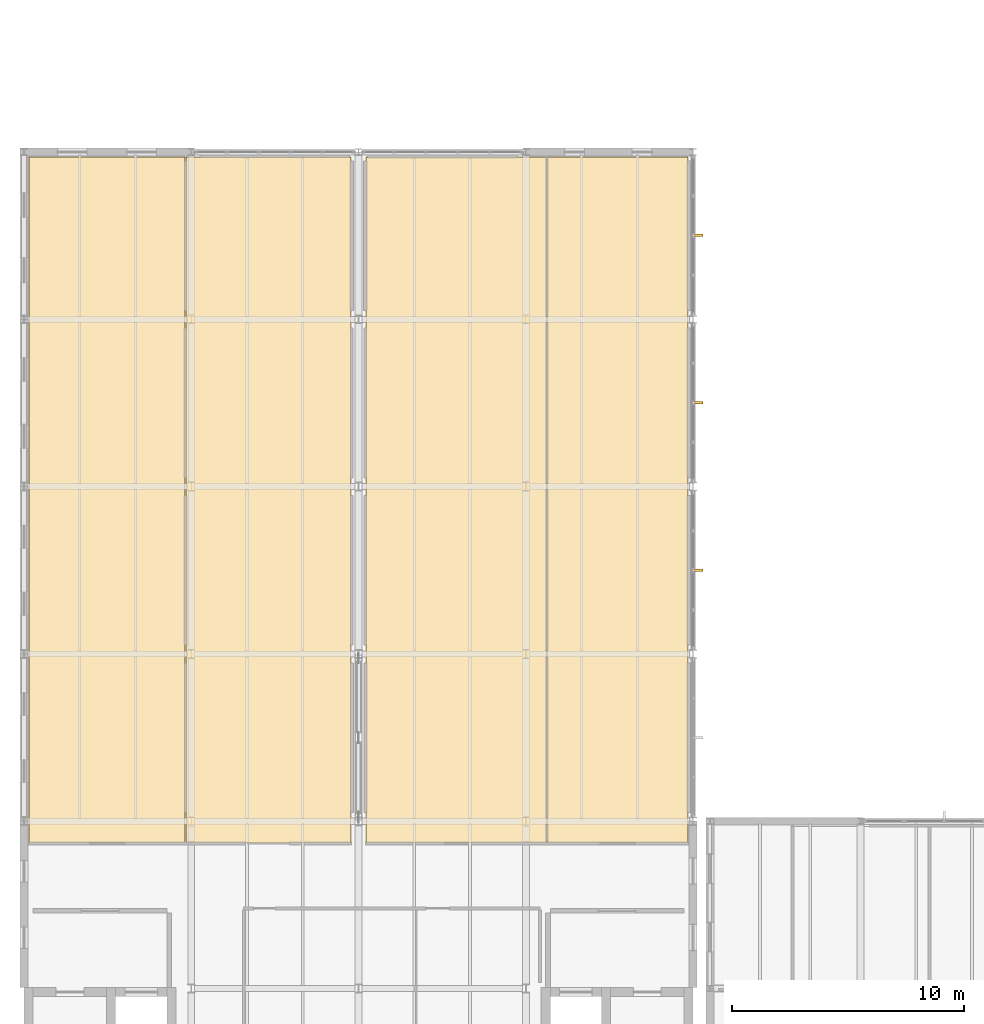
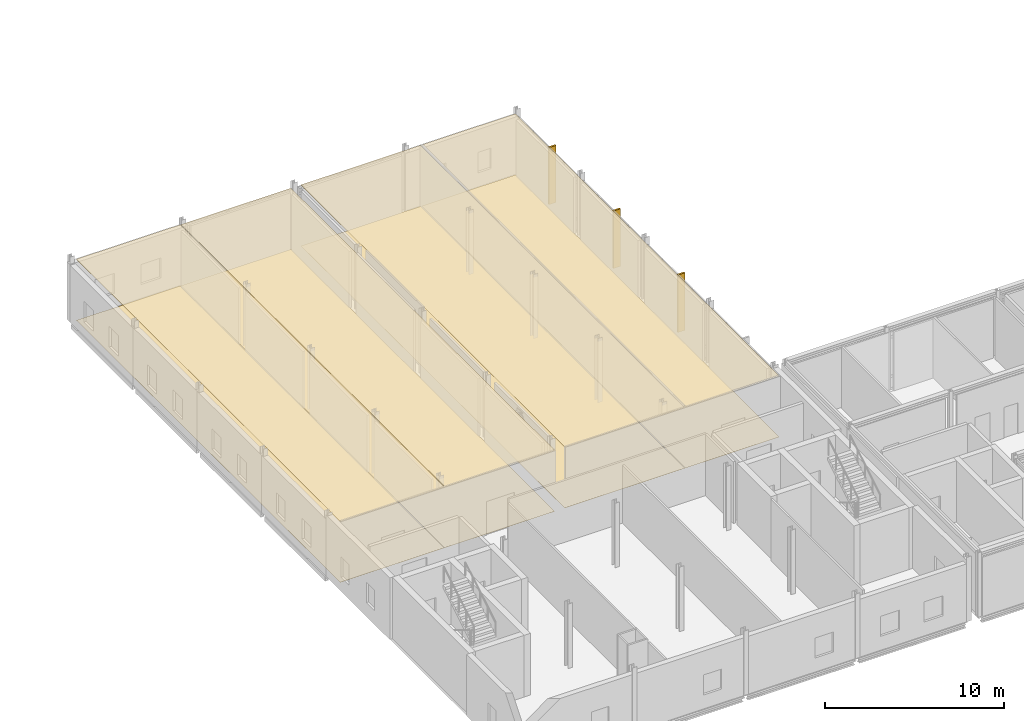
# One storey, part 40 of 43: 8 coverings, 3 shading devices.
"""IFC4 building model written with IfcOpenShell, lengths in metres."""

import ifcopenshell
import ifcopenshell.guid

model = None  # the IFC model being written
_history = None  # IfcOwnerHistory: only IFC2X3 demands one
_inside = {}  # id of a spatial element -> (the spatial element, [elements in it])
_under = {}  # id of a project, library or spatial element -> (it, [spatial elements below it])
_declared = {}  # id of a project -> (the project, [libraries it declares])
_typed = {}  # id of a type object -> (the type object, [elements of that type])
_made_of = {}  # id of a material, layer set ... -> (it, [elements and type objects made of it])


def new_model(schema):
    """Start an empty IFC model of exactly this schema.

    Asked for "IFC4X3", IfcOpenShell would pick the latest addendum, in which some entities
    have other attributes; the version numbers below select the first issue.
    IFC2X3 requires an IfcOwnerHistory on every rooted entity: one is made here for all.
    """
    global model, _history
    if schema == "IFC4X3":
        model = ifcopenshell.file(schema_version=(4, 3, 0, 0))
    else:
        model = ifcopenshell.file(schema=schema)
    _inside.clear()
    _under.clear()
    _declared.clear()
    _typed.clear()
    _made_of.clear()
    _history = None
    if model.schema == "IFC2X3":
        org = make("IfcOrganization", Name="unknown")
        user = make(
            "IfcPersonAndOrganization",
            ThePerson=make("IfcPerson", FamilyName="unknown"),
            TheOrganization=org,
        )
        app = make(
            "IfcApplication",
            ApplicationDeveloper=org,
            Version="unknown",
            ApplicationFullName="unknown",
            ApplicationIdentifier="unknown",
        )
        _history = make(
            "IfcOwnerHistory",
            OwningUser=user,
            OwningApplication=app,
            ChangeAction="ADDED",
            CreationDate=0,
        )
    return model


def make(cls, **values):
    """One entity of the class cls with the attributes given. An attribute that is None is left unset."""
    return model.create_entity(
        cls, **{name: value for name, value in values.items() if value is not None}
    )


def rooted(cls, **values):
    """An entity with a GlobalId (a new one), such as an element, a storey or a relation."""
    return make(cls, GlobalId=ifcopenshell.guid.new(), OwnerHistory=_history, **values)


def si_unit(unit_type, name, prefix=None):
    """IfcSIUnit, for example si_unit("LENGTHUNIT", "METRE", prefix="MILLI")."""
    return make("IfcSIUnit", UnitType=unit_type, Prefix=prefix, Name=name)


def assignment(units):
    """IfcUnitAssignment: the units of a project."""
    return None if units is None else make("IfcUnitAssignment", Units=units)


def point(xyz):
    """IfcCartesianPoint."""
    return None if xyz is None else make("IfcCartesianPoint", Coordinates=xyz)


def direction(xyz):
    """IfcDirection."""
    return None if xyz is None else make("IfcDirection", DirectionRatios=xyz)


def frame(location, z_axis=None, x_axis=None):
    """IfcAxis2Placement3D, a coordinate frame: its origin and axes. An axis left out is left unset."""
    return make(
        "IfcAxis2Placement3D",
        Location=point(location),
        Axis=direction(z_axis),
        RefDirection=direction(x_axis),
    )


def frame_2d(location, x_axis=None):
    """IfcAxis2Placement2D, a coordinate frame in the plane: its origin and x axis."""
    return make(
        "IfcAxis2Placement2D", Location=point(location), RefDirection=direction(x_axis)
    )


def origin():
    """The frame at (0, 0, 0) with its axes left unset."""
    return frame((0.0, 0.0, 0.0))


def origin_2d():
    """The frame at (0, 0) in the plane with its x axis left unset."""
    return frame_2d((0.0, 0.0))


def place(relative_to, where):
    """IfcLocalPlacement: puts the frame where relative to a parent placement (None: the world)."""
    return make(
        "IfcLocalPlacement", PlacementRelTo=relative_to, RelativePlacement=where
    )


def context(
    kind, dimensions, precision=None, world=None, true_north=None, identifier=None
):
    """IfcGeometricRepresentationContext, for example the 3D "Model" context."""
    return make(
        "IfcGeometricRepresentationContext",
        ContextIdentifier=identifier,
        ContextType=kind,
        CoordinateSpaceDimension=dimensions,
        Precision=precision,
        WorldCoordinateSystem=world,
        TrueNorth=true_north,
    )


def subcontext(parent, identifier, kind, view, scale=None):
    """IfcGeometricRepresentationSubContext, for example "Body" below "Model"."""
    return make(
        "IfcGeometricRepresentationSubContext",
        ContextIdentifier=identifier,
        ContextType=kind,
        ParentContext=parent,
        TargetScale=scale,
        TargetView=view,
    )


def project(units=None, contexts=None):
    """IfcProject with its units and contexts."""
    return rooted(
        "IfcProject",
        Name="project",
        RepresentationContexts=contexts,
        UnitsInContext=assignment(units),
    )


def spatial(cls, under=None, at=None, **own):
    """A site, building, storey or space (cls), placed at a placement, below another one or the project."""
    s = rooted(cls, ObjectPlacement=at, **own)
    if under is not None:
        _under.setdefault(under.id(), (under, []))[1].append(s)
    return s


def polyline(points):
    """IfcPolyline through the points."""
    return make("IfcPolyline", Points=[point(p) for p in points])


def profile(cls, at=None, kind="AREA", **sizes):
    """A parametric profile (cls). Its sizes go by their IFC names, for example OverallWidth=200.0."""
    return make(cls, ProfileType=kind, Position=at, **sizes)


def rectangle(**sizes):
    """IfcRectangleProfileDef."""
    return profile("IfcRectangleProfileDef", **sizes)


def outline(outer, holes=None, kind="AREA"):
    """IfcArbitraryClosedProfileDef: a profile drawn as a closed curve; with holes, ...WithVoids."""
    if holes is None:
        return make("IfcArbitraryClosedProfileDef", ProfileType=kind, OuterCurve=outer)
    return make(
        "IfcArbitraryProfileDefWithVoids",
        ProfileType=kind,
        OuterCurve=outer,
        InnerCurves=holes,
    )


def extrude(swept, where, along, depth):
    """IfcExtrudedAreaSolid: the profile swept, set in the frame where, extruded along a direction by depth."""
    return make(
        "IfcExtrudedAreaSolid",
        SweptArea=swept,
        Position=where,
        ExtrudedDirection=direction(along),
        Depth=depth,
    )


def shape(context_of_items, identifier, shape_type, items):
    """IfcShapeRepresentation: the items that make up one representation, for example the "Body"."""
    return make(
        "IfcShapeRepresentation",
        ContextOfItems=context_of_items,
        RepresentationIdentifier=identifier,
        RepresentationType=shape_type,
        Items=items,
    )


def material(Name=None, Category=None):
    """IfcMaterial."""
    return make("IfcMaterial", Name=Name, Category=Category)


def layer(
    of_material, thickness, ventilated=None, Name=None, Category=None, Priority=None
):
    """IfcMaterialLayer: one layer of a wall or slab, of a material (None: an air gap)."""
    return make(
        "IfcMaterialLayer",
        Material=of_material,
        LayerThickness=thickness,
        IsVentilated=ventilated,
        Name=Name,
        Category=Category,
        Priority=Priority,
    )


def layer_set(layers, Name=None):
    """IfcMaterialLayerSet."""
    return make("IfcMaterialLayerSet", MaterialLayers=layers, LayerSetName=Name)


def made_of(thing, what):
    """Note that an element or type object is made of a material, layer set ...; save() writes the relation."""
    if what is not None:
        _made_of.setdefault(what.id(), (what, []))[1].append(thing)
    return thing


def type_object(cls, material=None, **own):
    """A type object (cls), such as IfcWallType, which elements share."""
    return made_of(rooted(cls, **own), material)


def element(
    cls,
    number,
    at=None,
    inside=None,
    cuts=None,
    type_object=None,
    material=None,
    context=None,
    identifier="Body",
    shape_type=None,
    held_by="IfcProductDefinitionShape",
    body=None,
    shapes=None,
    **own,
):
    """One element of the class cls, such as IfcWall. Its Tag is "e" and its number.

    at: its placement. inside: the storey or other place that contains it. cuts: it is an
    opening in that element (IfcRelVoidsElement). A single representation is given by context,
    identifier, shape_type and body (its items); several are given by shapes. held_by: the class
    of the entity that holds the representations. save() writes the other relations.
    """
    e = rooted(cls, Tag="e%d" % number, ObjectPlacement=at, **own)
    if body is not None:
        shapes = [shape(context, identifier, shape_type, body)]
    if shapes is not None:
        e.Representation = make(held_by, Representations=shapes)
    if inside is not None:
        _inside.setdefault(inside.id(), (inside, []))[1].append(e)
    if cuts is not None:
        rooted(
            "IfcRelVoidsElement", RelatingBuildingElement=cuts, RelatedOpeningElement=e
        )
    if type_object is not None:
        _typed.setdefault(type_object.id(), (type_object, []))[1].append(e)
    return made_of(e, material)


def aggregate(whole, parts):
    """IfcRelAggregates: a whole, such as a stair, and the parts it consists of."""
    return rooted("IfcRelAggregates", RelatingObject=whole, RelatedObjects=parts)


def save(model, path):
    """Write the relations noted so far, then the file.

    IfcRelAggregates (storeys below a building ...), IfcRelContainedInSpatialStructure (elements
    in a storey), IfcRelDefinesByType, IfcRelAssociatesMaterial and IfcRelDeclares: one each for
    every whole, place, type object, material and project.
    """
    for whole, parts in _under.values():
        aggregate(whole, parts)
    for where, things in _inside.values():
        rooted(
            "IfcRelContainedInSpatialStructure",
            RelatedElements=things,
            RelatingStructure=where,
        )
    for kind, things in _typed.values():
        rooted("IfcRelDefinesByType", RelatedObjects=things, RelatingType=kind)
    for what, things in _made_of.values():
        rooted("IfcRelAssociatesMaterial", RelatedObjects=things, RelatingMaterial=what)
    for by, libraries in _declared.values():
        rooted("IfcRelDeclares", RelatingContext=by, RelatedDefinitions=libraries)
    model.write(path)


model = new_model("IFC4")

# Units and contexts
model_context = context("Model", 3, precision=1e-05, world=origin(), true_north=direction((0.0, 1.0)))
body_context = subcontext(model_context, "Body", "Model", "MODEL_VIEW")
ifc_project = project(units=[si_unit("LENGTHUNIT", "METRE"), si_unit("AREAUNIT", "SQUARE_METRE"), si_unit("VOLUMEUNIT", "CUBIC_METRE"), si_unit("PLANEANGLEUNIT", "RADIAN"), si_unit("MASSUNIT", "GRAM", prefix="KILO")], contexts=[model_context])

# Site, building, storey
site_placement = place(None, origin())
site = spatial("IfcSite", under=ifc_project, at=site_placement, CompositionType="ELEMENT")
building_placement = place(site_placement, origin())
building = spatial("IfcBuilding", under=site, at=building_placement, Name="Zarrinpeak Specialist Clinic", CompositionType="ELEMENT")
storey_placement = place(building_placement, frame((0.0, 0.0, 18.39990234375)))
storey = spatial("IfcBuildingStorey", under=building, at=storey_placement, Name="L04", CompositionType="ELEMENT", Elevation=18.39990234375)

# Coverings
ifc_material_1 = material(Name="Hygienic Acoustic Mineral Fibre Tile")
ifc_layer_1 = layer(ifc_material_1, 0.02490234375)
ifc_layer_set_1 = layer_set([ifc_layer_1], Name="Hygienic Acoustic Mineral Fibre Tile")
covering_type_1 = type_object("IfcCoveringType", Name="CV-CEIL-AC", PredefinedType="CEILING", material=ifc_layer_set_1)
covering_1_placement = place(storey_placement, frame((0.0, 0.0, 4.16015625)))
element("IfcCovering", 1, at=covering_1_placement, inside=storey, type_object=covering_type_1, Name="L04 Pulmonology Spirometry Lab Hygienic Acoustic Ceiling", PredefinedType="CEILING", context=body_context, shape_type="SweptSolid", body=[
    extrude(outline(polyline([(22.52001953125, 20.669921875), (28.580078125, 20.669921875), (28.580078125, 50.179931640625), (22.52001953125, 50.179931640625), (22.52001953125, 20.669921875)])), origin(), (0.0, 0.0, 1.0), 0.02490234375),
])
covering_2_placement = place(storey_placement, frame((0.0, 0.0, 4.16015625)))
element("IfcCovering", 2, at=covering_2_placement, inside=storey, type_object=covering_type_1, Name="L04 Bronchoscopy Preparation Room Hygienic Acoustic Ceiling", PredefinedType="CEILING", context=body_context, shape_type="SweptSolid", body=[
    extrude(outline(polyline([(0.219970703125, 20.669921875), (6.929931640625, 20.669921875), (6.929931640625, 50.179931640625), (0.219970703125, 50.179931640625), (0.219970703125, 20.669921875)])), origin(), (0.0, 0.0, 1.0), 0.02490234375),
])
covering_3_placement = place(storey_placement, frame((0.0, 0.0, 4.16015625)))
element("IfcCovering", 3, at=covering_3_placement, inside=storey, type_object=covering_type_1, Name="L04 Endocrinology Diabetes Education Hygienic Acoustic Ceiling", PredefinedType="CEILING", context=body_context, shape_type="SweptSolid", body=[
    extrude(outline(polyline([(6.969970703125, 20.669921875), (14.080078125, 20.669921875), (14.080078125, 50.179931640625), (6.969970703125, 50.179931640625), (6.969970703125, 20.669921875)])), origin(), (0.0, 0.0, 1.0), 0.02490234375),
])
covering_4_placement = place(storey_placement, frame((0.0, 0.0, 4.16015625)))
element("IfcCovering", 4, at=covering_4_placement, inside=storey, type_object=covering_type_1, Name="L04 Metabolic Nutrition Consult Hygienic Acoustic Ceiling", PredefinedType="CEILING", context=body_context, shape_type="SweptSolid", body=[
    extrude(outline(polyline([(14.719970703125, 20.669921875), (22.47998046875, 20.669921875), (22.47998046875, 50.179931640625), (14.719970703125, 50.179931640625), (14.719970703125, 20.669921875)])), origin(), (0.0, 0.0, 1.0), 0.02490234375),
])
ifc_material_2 = material(Name="Homogeneous Antimicrobial Clinical Vinyl")
ifc_layer_2 = layer(ifc_material_2, 0.008056640625)
ifc_layer_set_2 = layer_set([ifc_layer_2], Name="Homogeneous Antimicrobial Clinical Vinyl")
covering_type_2 = type_object("IfcCoveringType", Name="CV-FLR-VN", PredefinedType="FLOORING", material=ifc_layer_set_2)
covering_5_placement = place(storey_placement, frame((0.0, 0.0, 0.0009765625)))
element("IfcCovering", 5, at=covering_5_placement, inside=storey, type_object=covering_type_2, Name="L04 Pulmonology Spirometry Lab Antimicrobial Vinyl Flooring", PredefinedType="FLOORING", context=body_context, shape_type="SweptSolid", body=[
    extrude(outline(polyline([(22.52001953125, 20.669921875), (28.580078125, 20.669921875), (28.580078125, 50.179931640625), (22.52001953125, 50.179931640625), (22.52001953125, 20.669921875)])), origin(), (0.0, 0.0, 1.0), 0.008056640625),
])
covering_6_placement = place(storey_placement, frame((0.0, 0.0, 0.0009765625)))
element("IfcCovering", 6, at=covering_6_placement, inside=storey, type_object=covering_type_2, Name="L04 Bronchoscopy Preparation Room Antimicrobial Vinyl Flooring", PredefinedType="FLOORING", context=body_context, shape_type="SweptSolid", body=[
    extrude(outline(polyline([(0.219970703125, 20.669921875), (6.929931640625, 20.669921875), (6.929931640625, 50.179931640625), (0.219970703125, 50.179931640625), (0.219970703125, 20.669921875)])), origin(), (0.0, 0.0, 1.0), 0.008056640625),
])
covering_7_placement = place(storey_placement, frame((0.0, 0.0, 0.0009765625)))
element("IfcCovering", 7, at=covering_7_placement, inside=storey, type_object=covering_type_2, Name="L04 Endocrinology Diabetes Education Antimicrobial Vinyl Flooring", PredefinedType="FLOORING", context=body_context, shape_type="SweptSolid", body=[
    extrude(outline(polyline([(6.969970703125, 20.669921875), (14.080078125, 20.669921875), (14.080078125, 50.179931640625), (6.969970703125, 50.179931640625), (6.969970703125, 20.669921875)])), origin(), (0.0, 0.0, 1.0), 0.008056640625),
])
covering_8_placement = place(storey_placement, frame((0.0, 0.0, 0.0009765625)))
element("IfcCovering", 8, at=covering_8_placement, inside=storey, type_object=covering_type_2, Name="L04 Metabolic Nutrition Consult Antimicrobial Vinyl Flooring", PredefinedType="FLOORING", context=body_context, shape_type="SweptSolid", body=[
    extrude(outline(polyline([(14.719970703125, 20.669921875), (22.47998046875, 20.669921875), (22.47998046875, 50.179931640625), (14.719970703125, 50.179931640625), (14.719970703125, 20.669921875)])), origin(), (0.0, 0.0, 1.0), 0.008056640625),
])

# Shading devices
ifc_material_3 = material(Name="Glulam GL28h", Category="wood")
shading_device_type = type_object("IfcShadingDeviceType", Name="SHD-FIN-GL", PredefinedType="USERDEFINED", material=ifc_material_3)
for number, where, z_axis, x_axis, name in (
    (9, (29.0, 32.39990234375, -0.0146484375), (0.0, 0.0, 1.0), (1.0, 0.0, 0.0), "L04 V1 Cedar-Glulam Courtyard Fin FIN-018"),
    (10, (29.0, 39.610107421875, -0.0146484375), (0.0, 0.0, 1.0), (1.0, 0.0, 0.0), "L04 V1 Cedar-Glulam Courtyard Fin FIN-019"),
):
    element("IfcShadingDevice", number, at=place(storey_placement, frame(where, z_axis=z_axis, x_axis=x_axis)), inside=storey, type_object=shading_device_type, Name=name, ObjectType="SUNSHADE", PredefinedType="USERDEFINED", context=body_context, shape_type="SweptSolid", body=[
        extrude(rectangle(XDim=0.449951171875, YDim=0.110107421875, at=origin_2d()), origin(), (0.0, 0.0, 1.0), 3.929931640625),
    ])
shading_device_placement = place(storey_placement, frame((29.0, 46.81005859375, -0.014892578125), z_axis=(0.0, 0.0, 1.0), x_axis=(1.0, 0.0, 0.0)))
element("IfcShadingDevice", 11, at=shading_device_placement, inside=storey, type_object=shading_device_type, Name="L04 V1 Cedar-Glulam Courtyard Fin FIN-020", ObjectType="SUNSHADE", PredefinedType="USERDEFINED", context=body_context, shape_type="SweptSolid", body=[
    extrude(rectangle(XDim=0.449951171875, YDim=0.110107421875, at=origin_2d()), origin(), (0.0, 0.0, 1.0), 3.89501953125),
])

save(model, "model.ifc")
